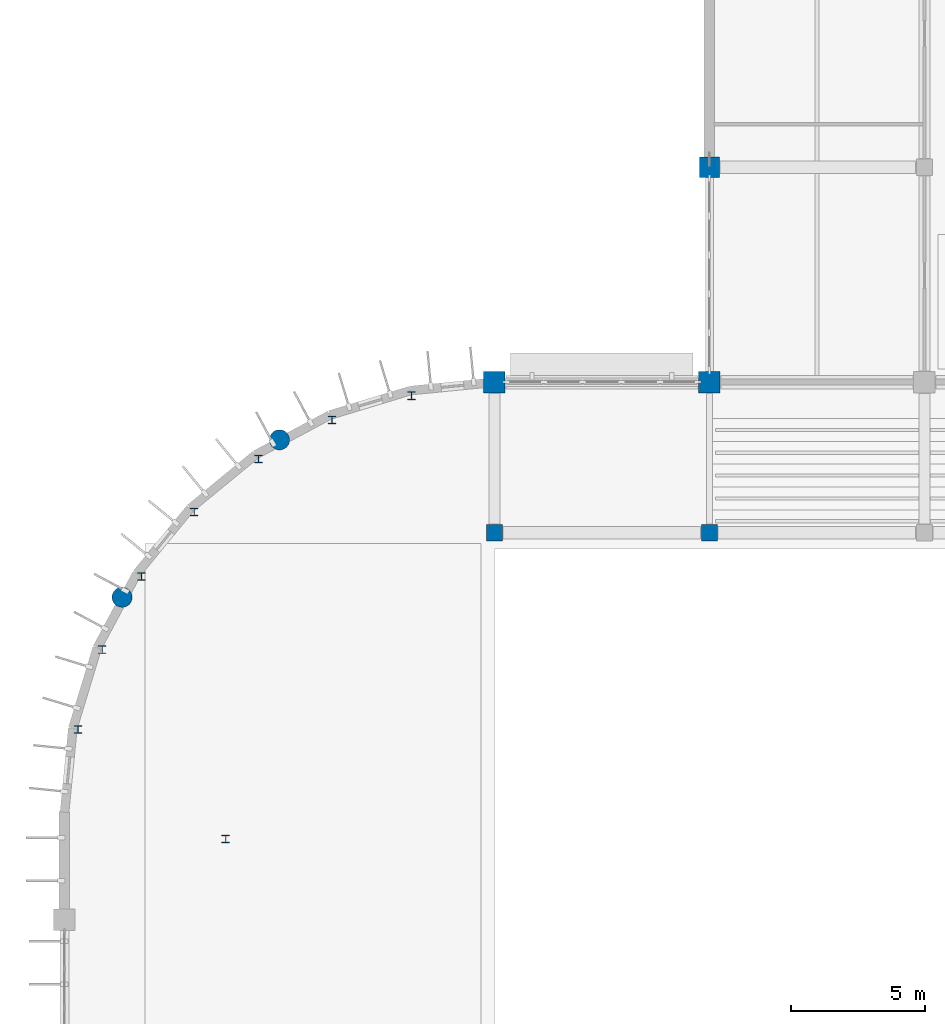
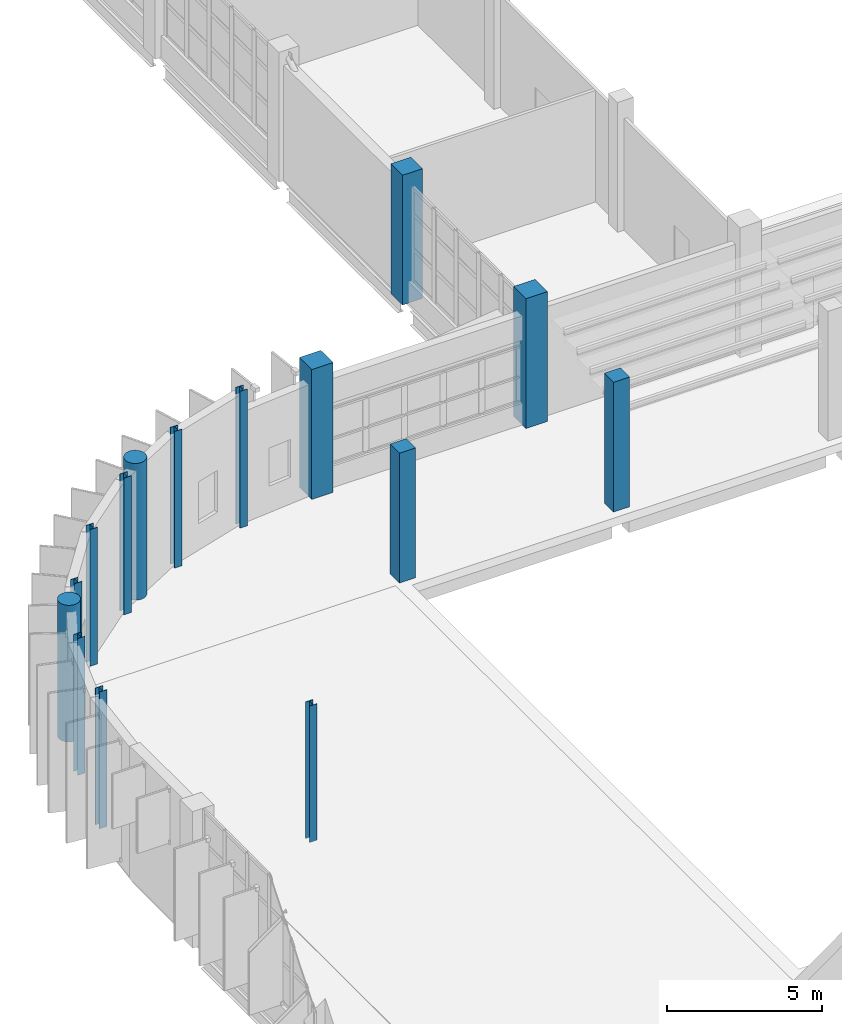
# One storey, part 7 of 103: 15 columns.
"""IFC4 building model written with IfcOpenShell, lengths in metres."""

from ifc_helpers import new_model, si_unit, direction, frame, origin, origin_2d, place, context, subcontext, project, spatial, rectangle, circle, i_section, extrude, material, material_profile, profile_set, type_object, element, save


model = new_model("IFC4")

# Units and contexts
model_context = context("Model", 3, precision=1e-05, world=origin(), true_north=direction((0.0, 1.0)))
body_context = subcontext(model_context, "Body", "Model", "MODEL_VIEW")
ifc_project = project(units=[si_unit("LENGTHUNIT", "METRE"), si_unit("AREAUNIT", "SQUARE_METRE"), si_unit("VOLUMEUNIT", "CUBIC_METRE"), si_unit("PLANEANGLEUNIT", "RADIAN"), si_unit("MASSUNIT", "GRAM", prefix="KILO")], contexts=[model_context])

# Site, building, storey
site_placement = place(None, origin())
site = spatial("IfcSite", under=ifc_project, at=site_placement, CompositionType="ELEMENT")
building_placement = place(site_placement, origin())
building = spatial("IfcBuilding", under=site, at=building_placement, Name="Drelvana Railside Aquatics Centre", CompositionType="ELEMENT")
storey_placement = place(building_placement, origin())
storey = spatial("IfcBuildingStorey", under=building, at=storey_placement, Name="L00", CompositionType="ELEMENT", Elevation=0.0)

# Columns
ifc_material_1 = material(Name="Concrete C40/50", Category="concrete")
ifc_material_profile_1 = material_profile(ifc_material_1, rectangle(XDim=0.60009765625, YDim=0.60009765625, at=origin_2d()), Name="RC 600x600")
ifc_profile_set_1 = profile_set([ifc_material_profile_1], Name="Concrete C40/50")
column_type_1 = type_object("IfcColumnType", Name="STR-COL-RC-600x600", PredefinedType="COLUMN", material=ifc_profile_set_1)
for number, where, z_axis, x_axis, name in (
    (1, (16.0, 78.39990234375, 0.0), (0.0, 0.0, 1.0), (1.0, 0.0, 0.0), "Column C-04 (L00)"),
    (2, (24.0, 78.39990234375, 0.0), (0.0, 0.0, 1.0), (1.0, 0.0, 0.0), "Column C-04 (L00)"),
):
    element("IfcColumn", number, at=place(storey_placement, frame(where, z_axis=z_axis, x_axis=x_axis)), inside=storey, type_object=column_type_1, Name=name, PredefinedType="COLUMN", context=body_context, shape_type="SweptSolid", body=[
        extrude(rectangle(XDim=0.60009765625, YDim=0.60009765625, at=origin_2d()), origin(), (0.0, 0.0, 1.0), 5.125),
    ])
ifc_material_profile_2 = material_profile(ifc_material_1, rectangle(XDim=0.75, YDim=0.75, at=origin_2d()), Name="RC 750x750")
ifc_profile_set_2 = profile_set([ifc_material_profile_2], Name="Concrete C40/50")
column_type_2 = type_object("IfcColumnType", Name="STR-COL-RC-750x750", PredefinedType="COLUMN", material=ifc_profile_set_2)
column_placement = place(storey_placement, frame((24.0, 92.0, 0.0), z_axis=(0.0, 0.0, 1.0), x_axis=(1.0, 0.0, 0.0)))
element("IfcColumn", 3, at=column_placement, inside=storey, type_object=column_type_2, Name="Column C-07 (L00)", PredefinedType="COLUMN", context=body_context, shape_type="SweptSolid", body=[
    extrude(rectangle(XDim=0.75, YDim=0.75, at=origin_2d()), origin(), (0.0, 0.0, 1.0), 5.125),
])
ifc_material_profile_3 = material_profile(ifc_material_1, rectangle(XDim=0.800048828125, YDim=0.800048828125, at=origin_2d()), Name="RC 800x800")
ifc_profile_set_3 = profile_set([ifc_material_profile_3], Name="Concrete C40/50")
column_type_3 = type_object("IfcColumnType", Name="STR-COL-RC-800x800", PredefinedType="COLUMN", material=ifc_profile_set_3)
for number, where, z_axis, x_axis, name in (
    (4, (16.0, 84.0, 0.0), (0.0, 0.0, 1.0), (1.0, 0.0, 0.0), "Column C-08 (L00)"),
    (5, (24.0, 84.0, 0.0), (0.0, 0.0, 1.0), (1.0, 0.0, 0.0), "Column C-08 (L00)"),
):
    element("IfcColumn", number, at=place(storey_placement, frame(where, z_axis=z_axis, x_axis=x_axis)), inside=storey, type_object=column_type_3, Name=name, PredefinedType="COLUMN", context=body_context, shape_type="SweptSolid", body=[
        extrude(rectangle(XDim=0.800048828125, YDim=0.800048828125, at=origin_2d()), origin(), (0.0, 0.0, 1.0), 5.125),
    ])
ifc_material_profile_4 = material_profile(ifc_material_1, circle(Radius=0.375, at=origin_2d()), Name="RC D750")
ifc_profile_set_4 = profile_set([ifc_material_profile_4], Name="Concrete C40/50")
column_type_4 = type_object("IfcColumnType", Name="STR-COL-RC-D750", PredefinedType="PILASTER", material=ifc_profile_set_4)
for number, where, z_axis, x_axis, name in (
    (6, (8.0, 81.8564453125, 0.0), (0.0, 0.0, 1.0), (1.0, 0.0, 0.0), "Column CP-02 (L00)"),
    (7, (2.1435546875, 76.0, 0.0), (0.0, 0.0, 1.0), (1.0, 0.0, 0.0), "Column CP-02 (L00)"),
):
    element("IfcColumn", number, at=place(storey_placement, frame(where, z_axis=z_axis, x_axis=x_axis)), inside=storey, type_object=column_type_4, Name=name, PredefinedType="PILASTER", context=body_context, shape_type="SweptSolid", body=[
        extrude(circle(Radius=0.375, at=origin_2d()), origin(), (0.0, 0.0, 1.0), 5.39990234375),
    ])
ifc_material_2 = material(Name="Structural steel S355", Category="steel")
ifc_material_profile_5 = material_profile(ifc_material_2, i_section(OverallWidth=0.280029296875, OverallDepth=0.280029296875, WebThickness=0.010498046875, FlangeThickness=0.01806640625, at=origin_2d()), Name="HEB 280")
ifc_profile_set_5 = profile_set([ifc_material_profile_5], Name="Structural steel S355")
column_type_5 = type_object("IfcColumnType", Name="STR-SCOL-HEB-280", PredefinedType="COLUMN", material=ifc_profile_set_5)
for number, where, z_axis, x_axis, name in (
    (8, (12.91748046875, 83.496337890625, 0.0), (0.0, 0.0, 1.0), (1.0, 0.0, 0.0), "V1NW curved chord column 1 (L00)"),
    (9, (9.95361328125, 82.597412109375, 0.0), (0.0, 0.0, 1.0), (1.0, 0.0, 0.0), "V1NW curved chord column 2 (L00)"),
    (10, (7.221923828125, 81.13720703125, 0.0), (0.0, 0.0, 1.0), (1.0, 0.0, 0.0), "V1NW curved chord column 3 (L00)"),
    (11, (4.82763671875, 79.17236328125, 0.0), (0.0, 0.0, 1.0), (1.0, 0.0, 0.0), "V1NW curved chord column 4 (L00)"),
    (12, (2.86279296875, 76.778076171875, 0.0), (0.0, 0.0, 1.0), (1.0, 0.0, 0.0), "V1NW curved chord column 5 (L00)"),
    (13, (1.402587890625, 74.04638671875, 0.0), (0.0, 0.0, 1.0), (1.0, 0.0, 0.0), "V1NW curved chord column 6 (L00)"),
    (14, (0.503662109375, 71.08251953125, 0.0), (0.0, 0.0, 1.0), (1.0, 0.0, 0.0), "V1NW curved chord column 7 (L00)"),
    (15, (6.0, 67.0, 0.0), (0.0, 0.0, 1.0), (1.0, 0.0, 0.0), "Gridshell west end rafter column Y67 (L00)"),
):
    element("IfcColumn", number, at=place(storey_placement, frame(where, z_axis=z_axis, x_axis=x_axis)), inside=storey, type_object=column_type_5, Name=name, PredefinedType="COLUMN", context=body_context, shape_type="SweptSolid", body=[
        extrude(i_section(OverallWidth=0.280029296875, OverallDepth=0.280029296875, WebThickness=0.010498046875, FlangeThickness=0.01806640625, at=origin_2d()), origin(), (0.0, 0.0, 1.0), 5.39990234375),
    ])

save(model, "model.ifc")
